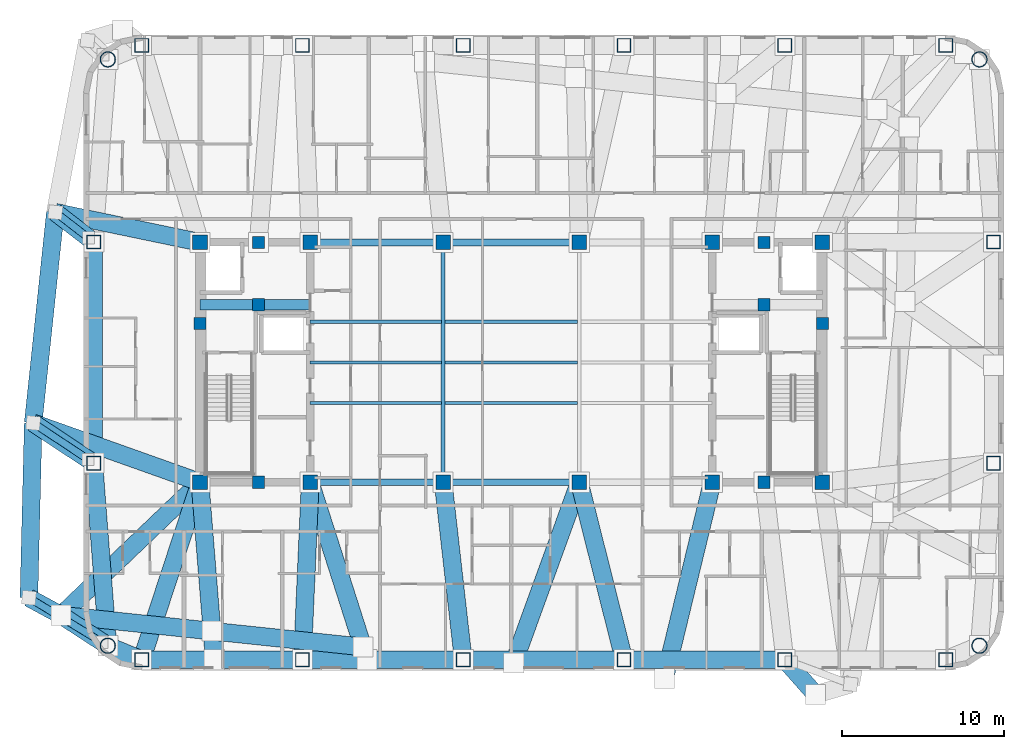
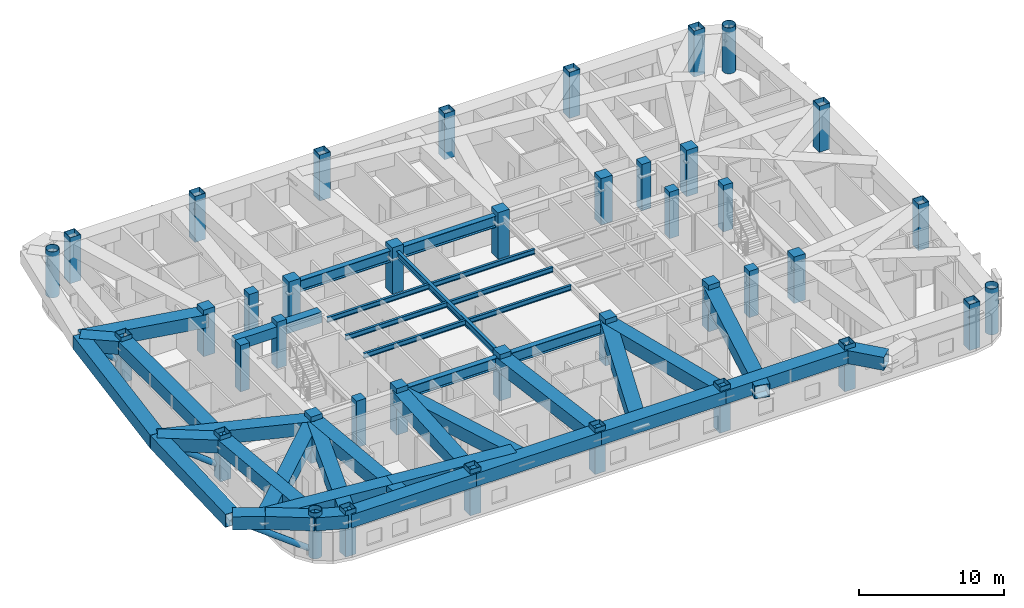
# One storey, part 1 of 12: 40 columns, 39 beams, 3 members.
"""IFC4 building model written with IfcOpenShell, lengths in metres."""

from ifc_helpers import new_model, si_unit, direction, frame, origin, origin_2d, place, context, subcontext, project, spatial, rectangle, hollow_rectangle, hollow_circle, i_section, extrude, material, material_profile, profile_set, type_object, element, save


model = new_model("IFC4")

# Units and contexts
model_context = context("Model", 3, precision=1e-05, world=origin(), true_north=direction((0.0, 1.0)))
body_context = subcontext(model_context, "Body", "Model", "MODEL_VIEW")
ifc_project = project(units=[si_unit("LENGTHUNIT", "METRE"), si_unit("AREAUNIT", "SQUARE_METRE"), si_unit("VOLUMEUNIT", "CUBIC_METRE"), si_unit("PLANEANGLEUNIT", "RADIAN"), si_unit("MASSUNIT", "GRAM", prefix="KILO")], contexts=[model_context])

# Site, building, storey
site_placement = place(None, origin())
site = spatial("IfcSite", under=ifc_project, at=site_placement, CompositionType="ELEMENT")
building_placement = place(site_placement, origin())
building = spatial("IfcBuilding", under=site, at=building_placement, Name="Voryun Gate Residences", CompositionType="ELEMENT")
storey_placement = place(building_placement, frame((0.0, 0.0, 250.89990234375)))
storey = spatial("IfcBuildingStorey", under=building, at=storey_placement, Name="L62", CompositionType="ELEMENT", Elevation=250.89990234375)

# Columns
ifc_material_1 = material(Name="Concrete C50/60", Category="concrete")
ifc_material_profile_1 = material_profile(ifc_material_1, rectangle(XDim=0.75, YDim=0.75, at=origin_2d()), Name="RC-750x750")
ifc_profile_set_1 = profile_set([ifc_material_profile_1], Name="Concrete C50/60")
column_type_1 = type_object("IfcColumnType", Name="COL_CORE_750", PredefinedType="COLUMN", material=ifc_profile_set_1)
for number, where, z_axis, x_axis, name in (
    (1, (-19.199951171875, 2.39990234375, 0.0), (0.0, 0.0, 1.0), (1.0, 0.0, 0.0), "L62 Core boundary column WC-MW"),
    (2, (-15.60009765625, -7.39990234375, 0.0), (0.0, 0.0, 1.0), (1.0, 0.0, 0.0), "L62 Core boundary column WC-SM"),
    (3, (-15.60009765625, 7.39990234375, 0.0), (0.0, 0.0, 1.0), (1.0, 0.0, 0.0), "L62 Core boundary column WC-NM"),
    (4, (-15.60009765625, 3.550048828125, 0.0), (0.0, 0.0, 1.0), (1.0, 0.0, 0.0), "L62 Core boundary column WC-MM"),
    (5, (15.60009765625, 3.550048828125, 0.0), (0.0, 0.0, 1.0), (1.0, 0.0, 0.0), "L62 Core boundary column EC-MM"),
    (6, (15.60009765625, -7.39990234375, 0.0), (0.0, 0.0, 1.0), (1.0, 0.0, 0.0), "L62 Core boundary column EC-SM"),
    (7, (15.60009765625, 7.39990234375, 0.0), (0.0, 0.0, 1.0), (1.0, 0.0, 0.0), "L62 Core boundary column EC-NM"),
    (8, (19.199951171875, 2.39990234375, 0.0), (0.0, 0.0, 1.0), (1.0, 0.0, 0.0), "L62 Core boundary column EC-ME"),
):
    element("IfcColumn", number, at=place(storey_placement, frame(where, z_axis=z_axis, x_axis=x_axis)), inside=storey, type_object=column_type_1, Name=name, PredefinedType="COLUMN", context=body_context, shape_type="SweptSolid", body=[
        extrude(rectangle(XDim=0.75, YDim=0.75, at=origin_2d()), origin(), (0.0, 0.0, 1.0), 3.900146484375),
    ])
ifc_material_2 = material(Name="Concrete C50/60", Category="concrete")
ifc_material_profile_2 = material_profile(ifc_material_2, rectangle(XDim=0.89990234375, YDim=0.89990234375, at=origin_2d()), Name="RC-900x900")
ifc_profile_set_2 = profile_set([ifc_material_profile_2], Name="Concrete C50/60")
column_type_2 = type_object("IfcColumnType", Name="COL_CORE_900", PredefinedType="COLUMN", material=ifc_profile_set_2)
for number, where, z_axis, x_axis, name in (
    (9, (-19.199951171875, -7.39990234375, 0.0), (0.0, 0.0, 1.0), (1.0, 0.0, 0.0), "L62 Core boundary column WC-SW"),
    (10, (-19.199951171875, 7.39990234375, 0.0), (0.0, 0.0, 1.0), (1.0, 0.0, 0.0), "L62 Core boundary column WC-NW"),
    (11, (-12.39990234375, -7.39990234375, 0.0), (0.0, 0.0, 1.0), (1.0, 0.0, 0.0), "L62 Core boundary column WC-SE"),
    (12, (-12.39990234375, 7.39990234375, 0.0), (0.0, 0.0, 1.0), (1.0, 0.0, 0.0), "L62 Core boundary column WC-NE"),
    (13, (12.39990234375, -7.39990234375, 0.0), (0.0, 0.0, 1.0), (1.0, 0.0, 0.0), "L62 Core boundary column EC-SW"),
    (14, (12.39990234375, 7.39990234375, 0.0), (0.0, 0.0, 1.0), (1.0, 0.0, 0.0), "L62 Core boundary column EC-NW"),
    (15, (19.199951171875, -7.39990234375, 0.0), (0.0, 0.0, 1.0), (1.0, 0.0, 0.0), "L62 Core boundary column EC-SE"),
    (16, (19.199951171875, 7.39990234375, 0.0), (0.0, 0.0, 1.0), (1.0, 0.0, 0.0), "L62 Core boundary column EC-NE"),
    (17, (-4.199951171875, -7.39990234375, 0.0), (0.0, 0.0, 1.0), (1.0, 0.0, 0.0), "L62 Interior spine column SP-WS"),
    (18, (-4.199951171875, 7.39990234375, 0.0), (0.0, 0.0, 1.0), (1.0, 0.0, 0.0), "L62 Interior spine column SP-WN"),
    (19, (4.199951171875, -7.39990234375, 0.0), (0.0, 0.0, 1.0), (1.0, 0.0, 0.0), "L62 Interior spine column SP-ES"),
    (20, (4.199951171875, 7.39990234375, 0.0), (0.0, 0.0, 1.0), (1.0, 0.0, 0.0), "L62 Interior spine column SP-EN"),
):
    element("IfcColumn", number, at=place(storey_placement, frame(where, z_axis=z_axis, x_axis=x_axis)), inside=storey, type_object=column_type_2, Name=name, PredefinedType="COLUMN", context=body_context, shape_type="SweptSolid", body=[
        extrude(rectangle(XDim=0.89990234375, YDim=0.89990234375, at=origin_2d()), origin(), (0.0, 0.0, 1.0), 3.900146484375),
    ])
ifc_material_3 = material(Name="Steel SM420", Category="steel")
ifc_material_profile_3 = material_profile(ifc_material_3, hollow_circle(Radius=0.47509765625, WallThickness=0.031982421875, at=origin_2d()), Name="CHS-950x32")
ifc_profile_set_3 = profile_set([ifc_material_profile_3], Name="Steel SM420")
column_type_3 = type_object("IfcColumnType", Name="COL_CRN_950", PredefinedType="COLUMN", material=ifc_profile_set_3)
for number, where, z_axis, x_axis, name in (
    (21, (28.885986328125, -17.486083984375, 0.0), (0.0, 0.0, 1.0), (1.0, 0.0, 0.0), "L62 Exoskeleton column CSE"),
    (22, (28.885986328125, 18.68603515625, 0.0), (0.0, 0.0, 1.0), (1.0, 0.0, 0.0), "L62 Exoskeleton column CNE"),
    (23, (-24.885986328125, 18.68603515625, 0.0), (0.0, 0.0, 1.0), (1.0, 0.0, 0.0), "L62 Exoskeleton column CNW"),
    (24, (-24.885986328125, -17.486083984375, 0.0), (0.0, 0.0, 1.0), (1.0, 0.0, 0.0), "L62 Exoskeleton column CSW"),
):
    element("IfcColumn", number, at=place(storey_placement, frame(where, z_axis=z_axis, x_axis=x_axis)), inside=storey, type_object=column_type_3, Name=name, PredefinedType="COLUMN", context=body_context, shape_type="SweptSolid", body=[
        extrude(hollow_circle(Radius=0.47509765625, WallThickness=0.031982421875, at=origin_2d()), origin(), (0.0, 0.0, 1.0), 3.864990234375),
    ])
ifc_material_4 = material(Name="Steel SM355", Category="steel")
ifc_material_profile_4 = material_profile(ifc_material_4, hollow_rectangle(XDim=0.85009765625, YDim=0.85009765625, WallThickness=0.028076171875, at=origin_2d()), Name="BOX-850x850x28")
ifc_profile_set_4 = profile_set([ifc_material_profile_4], Name="Steel SM355")
column_type_4 = type_object("IfcColumnType", Name="COL_EXO_B4", PredefinedType="COLUMN", material=ifc_profile_set_4)
for number, where, z_axis, x_axis, name in (
    (25, (-22.800048828125, -18.35009765625, 0.0), (0.0, 0.0, 1.0), (1.0, 0.0, 0.0), "L62 Exoskeleton column S1"),
    (26, (-12.8798828125, -18.35009765625, 0.0), (0.0, 0.0, 1.0), (1.0, 0.0, 0.0), "L62 Exoskeleton column S2"),
    (27, (-2.9599609375, -18.35009765625, 0.0), (0.0, 0.0, 1.0), (1.0, 0.0, 0.0), "L62 Exoskeleton column S3"),
    (28, (6.9599609375, -18.35009765625, 0.0), (0.0, 0.0, 1.0), (1.0, 0.0, 0.0), "L62 Exoskeleton column S4"),
    (29, (16.8798828125, -18.35009765625, 0.0), (0.0, 0.0, 1.0), (1.0, 0.0, 0.0), "L62 Exoskeleton column S5"),
    (30, (26.800048828125, -18.35009765625, 0.0), (0.0, 0.0, 1.0), (1.0, 0.0, 0.0), "L62 Exoskeleton column S6"),
    (31, (29.75, -6.221923828125, 0.0), (0.0, 0.0, 1.0), (1.0, 0.0, 0.0), "L62 Exoskeleton column E1"),
    (32, (29.75, 7.422119140625, 0.0), (0.0, 0.0, 1.0), (1.0, 0.0, 0.0), "L62 Exoskeleton column E2"),
    (33, (26.800048828125, 19.550048828125, 0.0), (0.0, 0.0, 1.0), (1.0, 0.0, 0.0), "L62 Exoskeleton column N1"),
    (34, (16.8798828125, 19.550048828125, 0.0), (0.0, 0.0, 1.0), (1.0, 0.0, 0.0), "L62 Exoskeleton column N2"),
    (35, (6.9599609375, 19.550048828125, 0.0), (0.0, 0.0, 1.0), (1.0, 0.0, 0.0), "L62 Exoskeleton column N3"),
    (36, (-2.9599609375, 19.550048828125, 0.0), (0.0, 0.0, 1.0), (1.0, 0.0, 0.0), "L62 Exoskeleton column N4"),
    (37, (-12.8798828125, 19.550048828125, 0.0), (0.0, 0.0, 1.0), (1.0, 0.0, 0.0), "L62 Exoskeleton column N5"),
    (38, (-22.800048828125, 19.550048828125, 0.0), (0.0, 0.0, 1.0), (1.0, 0.0, 0.0), "L62 Exoskeleton column N6"),
    (39, (-25.75, 7.422119140625, 0.0), (0.0, 0.0, 1.0), (1.0, 0.0, 0.0), "L62 Exoskeleton column W1"),
    (40, (-25.75, -6.221923828125, 0.0), (0.0, 0.0, 1.0), (1.0, 0.0, 0.0), "L62 Exoskeleton column W2"),
):
    element("IfcColumn", number, at=place(storey_placement, frame(where, z_axis=z_axis, x_axis=x_axis)), inside=storey, type_object=column_type_4, Name=name, PredefinedType="COLUMN", context=body_context, shape_type="SweptSolid", body=[
        extrude(hollow_rectangle(XDim=0.85009765625, YDim=0.85009765625, WallThickness=0.028076171875, at=origin_2d()), origin(), (0.0, 0.0, 1.0), 3.864990234375),
    ])

# Beams
ifc_material_5 = material(Name="Steel SM420", Category="steel")
ifc_material_profile_5 = material_profile(ifc_material_5, hollow_rectangle(XDim=1.10009765625, YDim=1.10009765625, WallThickness=0.035888671875, at=origin_2d()), Name="BOX-1100x1100x36")
ifc_profile_set_5 = profile_set([ifc_material_profile_5], Name="Steel SM420")
beam_type_1 = type_object("IfcBeamType", Name="BM_ARCH_RIB", PredefinedType="USERDEFINED", material=ifc_profile_set_5)
beam_1_placement = place(storey_placement, frame((-22.800048828125, -18.35009765625, 2.9501953125), z_axis=(1.0, 0.0, 0.0), x_axis=(0.0, 1.0, 0.0)))
element("IfcBeam", 41, at=beam_1_placement, inside=storey, type_object=beam_type_1, Name="BM-L62-SPAND-01", ObjectType="GIRDER", PredefinedType="USERDEFINED", context=body_context, shape_type="SweptSolid", body=[
    extrude(hollow_rectangle(XDim=1.10009765625, YDim=1.10009765625, WallThickness=0.035888671875, at=origin_2d()), origin(), (0.0, 0.0, 1.0), 9.920166015625),
])
for number, where, z_axis, x_axis, name in (
    (42, (-12.8798828125, -18.35009765625, 2.9501953125), (1.0, 0.0, 0.0), (0.0, 1.0, 0.0), "BM-L62-SPAND-02"),
    (43, (-2.9599609375, -18.35009765625, 2.9501953125), (1.0, 0.0, 0.0), (0.0, 1.0, 0.0), "BM-L62-SPAND-03"),
    (44, (6.9599609375, -18.35009765625, 2.9501953125), (1.0, 0.0, 0.0), (0.0, 1.0, 0.0), "BM-L62-SPAND-04"),
):
    element("IfcBeam", number, at=place(storey_placement, frame(where, z_axis=z_axis, x_axis=x_axis)), inside=storey, type_object=beam_type_1, Name=name, ObjectType="GIRDER", PredefinedType="USERDEFINED", context=body_context, shape_type="SweptSolid", body=[
        extrude(hollow_rectangle(XDim=1.10009765625, YDim=1.10009765625, WallThickness=0.035888671875, at=origin_2d()), origin(), (0.0, 0.0, 1.0), 9.919921875),
    ])
beam_2_placement = place(storey_placement, frame((-25.75, 7.422119140625, 2.9501953125), z_axis=(0.0, -1.0, 0.0), x_axis=(1.0, 0.0, 0.0)))
element("IfcBeam", 45, at=beam_2_placement, inside=storey, type_object=beam_type_1, Name="BM-L62-SPAND-18", ObjectType="GIRDER", PredefinedType="USERDEFINED", context=body_context, shape_type="SweptSolid", body=[
    extrude(hollow_rectangle(XDim=1.10009765625, YDim=1.10009765625, WallThickness=0.035888671875, at=origin_2d()), origin(), (0.0, 0.0, 1.0), 13.64404296875),
])
beam_3_placement = place(storey_placement, frame((-25.75, -6.221923828125, 2.9501953125), z_axis=(0.076480009441, -0.997071114894, 0.0), x_axis=(0.997071114894, 0.076480009441, 0.0)))
element("IfcBeam", 46, at=beam_3_placement, inside=storey, type_object=beam_type_1, Name="BM-L62-SPAND-19", ObjectType="GIRDER", PredefinedType="USERDEFINED", context=body_context, shape_type="SweptSolid", body=[
    extrude(hollow_rectangle(XDim=1.10009765625, YDim=1.10009765625, WallThickness=0.035888671875, at=origin_2d()), origin(), (0.0, 0.0, 1.0), 11.29736328125),
])
beam_4_placement = place(storey_placement, frame((-24.885986328125, -17.486083984375, 2.9501953125), z_axis=(0.923881087602, -0.382679678022, 0.0), x_axis=(0.382679678022, 0.923881087602, 0.0)))
element("IfcBeam", 47, at=beam_4_placement, inside=storey, type_object=beam_type_1, Name="BM-L62-SPAND-20", ObjectType="GIRDER", PredefinedType="USERDEFINED", context=body_context, shape_type="SweptSolid", body=[
    extrude(hollow_rectangle(XDim=1.10009765625, YDim=1.10009765625, WallThickness=0.035888671875, at=origin_2d()), origin(), (0.0, 0.0, 1.0), 2.2578125),
])
beam_5_placement = place(storey_placement, frame((-19.199951171875, -7.39990234375, 2.9501953125), z_axis=(-0.722302104769, -0.691577666966, 0.0), x_axis=(0.691577666966, -0.722302104769, 0.0)))
element("IfcBeam", 48, at=beam_5_placement, inside=storey, type_object=beam_type_1, Name="BM-L62-XFERCANT-S1", ObjectType="GIRDER", PredefinedType="USERDEFINED", context=body_context, shape_type="SweptSolid", body=[
    extrude(hollow_rectangle(XDim=1.10009765625, YDim=1.10009765625, WallThickness=0.035888671875, at=origin_2d()), origin(), (0.0, 0.0, 1.0), 11.863525390625),
])
beam_6_placement = place(storey_placement, frame((-24.885986328125, -17.486083984375, 2.9501953125), z_axis=(-0.837432795252, 0.546540312728, 0.0), x_axis=(-0.546540312728, -0.837432795252, 0.0)))
element("IfcBeam", 49, at=beam_6_placement, inside=storey, type_object=beam_type_1, Name="BM-L62-XFERLOW-S1", ObjectType="GIRDER", PredefinedType="USERDEFINED", context=body_context, shape_type="SweptSolid", body=[
    extrude(hollow_rectangle(XDim=1.10009765625, YDim=1.10009765625, WallThickness=0.035888671875, at=origin_2d()), origin(), (0.0, 0.0, 1.0), 3.442626953125),
])
beam_7_placement = place(storey_placement, frame((-19.199951171875, -7.39990234375, 2.9501953125), z_axis=(0.080293732968, -0.996771245796, 0.0), x_axis=(0.996771245796, 0.080293732968, 0.0)))
element("IfcBeam", 50, at=beam_7_placement, inside=storey, type_object=beam_type_1, Name="BM-L62-XFERCANT-S2", ObjectType="GIRDER", PredefinedType="USERDEFINED", context=body_context, shape_type="SweptSolid", body=[
    extrude(hollow_rectangle(XDim=1.10009765625, YDim=1.10009765625, WallThickness=0.035888671875, at=origin_2d()), origin(), (0.0, 0.0, 1.0), 10.985595703125),
])
beam_8_placement = place(storey_placement, frame((-12.39990234375, -7.39990234375, 2.9501953125), z_axis=(0.304493686157, -0.95251435427, 0.0), x_axis=(0.95251435427, 0.304493686157, 0.0)))
element("IfcBeam", 51, at=beam_8_placement, inside=storey, type_object=beam_type_1, Name="BM-L62-XFERCANT-S3", ObjectType="GIRDER", PredefinedType="USERDEFINED", context=body_context, shape_type="SweptSolid", body=[
    extrude(hollow_rectangle(XDim=1.10009765625, YDim=1.10009765625, WallThickness=0.035888671875, at=origin_2d()), origin(), (0.0, 0.0, 1.0), 11.49609375),
])
beam_9_placement = place(storey_placement, frame((4.199951171875, -7.39990234375, 2.9501953125), z_axis=(-0.341135931896, -0.940013976476, 0.0), x_axis=(0.940013976476, -0.341135931896, 0.0)))
element("IfcBeam", 52, at=beam_9_placement, inside=storey, type_object=beam_type_1, Name="BM-L62-XFERCANT-S4", ObjectType="GIRDER", PredefinedType="USERDEFINED", context=body_context, shape_type="SweptSolid", body=[
    extrude(hollow_rectangle(XDim=1.10009765625, YDim=1.10009765625, WallThickness=0.035888671875, at=origin_2d()), origin(), (0.0, 0.0, 1.0), 11.850830078125),
])
beam_10_placement = place(storey_placement, frame((12.39990234375, -7.39990234375, 2.9501953125), z_axis=(-0.235323166357, -0.971917181336, 0.0), x_axis=(0.971917181336, -0.235323166357, 0.0)))
element("IfcBeam", 53, at=beam_10_placement, inside=storey, type_object=beam_type_1, Name="BM-L62-XFERCANT-S5", ObjectType="GIRDER", PredefinedType="USERDEFINED", context=body_context, shape_type="SweptSolid", body=[
    extrude(hollow_rectangle(XDim=1.10009765625, YDim=1.10009765625, WallThickness=0.035888671875, at=origin_2d()), origin(), (0.0, 0.0, 1.0), 12.46826171875),
])
beam_11_placement = place(storey_placement, frame((16.8798828125, -18.35009765625, 2.9501953125), z_axis=(0.661782374544, -0.74969599755, 0.0), x_axis=(0.74969599755, 0.661782374544, 0.0)))
element("IfcBeam", 54, at=beam_11_placement, inside=storey, type_object=beam_type_1, Name="BM-L62-XFERLOW-S6", ObjectType="GIRDER", PredefinedType="USERDEFINED", context=body_context, shape_type="SweptSolid", body=[
    extrude(hollow_rectangle(XDim=1.10009765625, YDim=1.10009765625, WallThickness=0.035888671875, at=origin_2d()), origin(), (0.0, 0.0, 1.0), 2.863037109375),
])
beam_12_placement = place(storey_placement, frame((-19.199951171875, 7.39990234375, 2.9501953125), z_axis=(-0.979119049711, 0.203287693907, 0.0), x_axis=(-0.203287693907, -0.979119049711, 0.0)))
element("IfcBeam", 55, at=beam_12_placement, inside=storey, type_object=beam_type_1, Name="BM-L62-XFERCANT-W1", ObjectType="GIRDER", PredefinedType="USERDEFINED", context=body_context, shape_type="SweptSolid", body=[
    extrude(hollow_rectangle(XDim=1.10009765625, YDim=1.10009765625, WallThickness=0.035888671875, at=origin_2d()), origin(), (0.0, 0.0, 1.0), 9.11279296875),
])
beam_13_placement = place(storey_placement, frame((-25.75, 7.422119140625, 2.9501953125), z_axis=(-0.791772123225, 0.61081658858, 0.0), x_axis=(-0.61081658858, -0.791772123225, 0.0)))
element("IfcBeam", 56, at=beam_13_placement, inside=storey, type_object=beam_type_1, Name="BM-L62-XFERLOW-W1", ObjectType="GIRDER", PredefinedType="USERDEFINED", context=body_context, shape_type="SweptSolid", body=[
    extrude(hollow_rectangle(XDim=1.10009765625, YDim=1.10009765625, WallThickness=0.035888671875, at=origin_2d()), origin(), (0.0, 0.0, 1.0), 2.99658203125),
])
beam_14_placement = place(storey_placement, frame((-19.199951171875, -7.39990234375, 2.9501953125), z_axis=(-0.942276939669, 0.334834539688, 0.0), x_axis=(-0.334834539688, -0.942276939669, 0.0)))
element("IfcBeam", 57, at=beam_14_placement, inside=storey, type_object=beam_type_1, Name="BM-L62-XFERCANT-W2", ObjectType="GIRDER", PredefinedType="USERDEFINED", context=body_context, shape_type="SweptSolid", body=[
    extrude(hollow_rectangle(XDim=1.10009765625, YDim=1.10009765625, WallThickness=0.035888671875, at=origin_2d()), origin(), (0.0, 0.0, 1.0), 10.9189453125),
])
beam_15_placement = place(storey_placement, frame((-25.75, -6.221923828125, 2.9501953125), z_axis=(-0.833521215411, 0.552487450952, 0.0), x_axis=(-0.552487450952, -0.833521215411, 0.0)))
element("IfcBeam", 58, at=beam_15_placement, inside=storey, type_object=beam_type_1, Name="BM-L62-XFERLOW-W2", ObjectType="GIRDER", PredefinedType="USERDEFINED", context=body_context, shape_type="SweptSolid", body=[
    extrude(hollow_rectangle(XDim=1.10009765625, YDim=1.10009765625, WallThickness=0.035888671875, at=origin_2d()), origin(), (0.0, 0.0, 1.0), 4.485107421875),
])
beam_16_placement = place(storey_placement, frame((-27.76904296875, -15.6044921875, 2.9501953125), z_axis=(0.994520592114, -0.104540862157, 0.0), x_axis=(0.104540862157, 0.994520592114, 0.0)))
element("IfcBeam", 59, at=beam_16_placement, inside=storey, type_object=beam_type_1, Name="BM-L62-XFERRING-01", ObjectType="GIRDER", PredefinedType="USERDEFINED", context=body_context, shape_type="SweptSolid", body=[
    extrude(hollow_rectangle(XDim=1.10009765625, YDim=1.10009765625, WallThickness=0.035888671875, at=origin_2d()), origin(), (0.0, 0.0, 1.0), 9.360107421875),
])
beam_17_placement = place(storey_placement, frame((-18.460205078125, -16.5830078125, 2.9501953125), z_axis=(0.994523018663, -0.104517775278, 0.0), x_axis=(0.104517775278, 0.994523018663, 0.0)))
element("IfcBeam", 60, at=beam_17_placement, inside=storey, type_object=beam_type_1, Name="BM-L62-XFERRING-02", ObjectType="GIRDER", PredefinedType="USERDEFINED", context=body_context, shape_type="SweptSolid", body=[
    extrude(hollow_rectangle(XDim=1.10009765625, YDim=1.10009765625, WallThickness=0.035888671875, at=origin_2d()), origin(), (0.0, 0.0, 1.0), 9.35986328125),
])
beam_18_placement = place(storey_placement, frame((-28.12255859375, 9.25244140625, 2.9501953125), z_axis=(-0.104528209082, -0.994521922084, 0.0), x_axis=(0.994521922084, -0.104528209082, 0.0)))
element("IfcBeam", 61, at=beam_18_placement, inside=storey, type_object=beam_type_1, Name="BM-L62-XFERRING-18", ObjectType="GIRDER", PredefinedType="USERDEFINED", context=body_context, shape_type="SweptSolid", body=[
    extrude(hollow_rectangle(XDim=1.10009765625, YDim=1.10009765625, WallThickness=0.035888671875, at=origin_2d()), origin(), (0.0, 0.0, 1.0), 13.06787109375),
])
beam_19_placement = place(storey_placement, frame((-29.488525390625, -3.743896484375, 2.9501953125), z_axis=(-0.024534711967, -0.999698978647, 0.0), x_axis=(0.999698978647, -0.024534711967, 0.0)))
element("IfcBeam", 62, at=beam_19_placement, inside=storey, type_object=beam_type_1, Name="BM-L62-XFERRING-19", ObjectType="GIRDER", PredefinedType="USERDEFINED", context=body_context, shape_type="SweptSolid", body=[
    extrude(hollow_rectangle(XDim=1.10009765625, YDim=1.10009765625, WallThickness=0.035888671875, at=origin_2d()), origin(), (0.0, 0.0, 1.0), 10.78662109375),
])
beam_20_placement = place(storey_placement, frame((-29.753173828125, -14.52734375, 2.9501953125), z_axis=(0.878844363117, -0.477108567746, 0.0), x_axis=(0.477108567746, 0.878844363117, 0.0)))
element("IfcBeam", 63, at=beam_20_placement, inside=storey, type_object=beam_type_1, Name="BM-L62-XFERRING-20", ObjectType="GIRDER", PredefinedType="USERDEFINED", context=body_context, shape_type="SweptSolid", body=[
    extrude(hollow_rectangle(XDim=1.10009765625, YDim=1.10009765625, WallThickness=0.035888671875, at=origin_2d()), origin(), (0.0, 0.0, 1.0), 2.257568359375),
])
beam_21_placement = place(storey_placement, frame((-19.199951171875, -7.39990234375, 2.9501953125), z_axis=(-0.312323693326, -0.949975742104, 0.0), x_axis=(0.949975742104, -0.312323693326, 0.0)))
element("IfcBeam", 64, at=beam_21_placement, inside=storey, type_object=beam_type_1, Name="BM-L62-RAD-S1", ObjectType="GIRDER", PredefinedType="USERDEFINED", context=body_context, shape_type="SweptSolid", body=[
    extrude(hollow_rectangle(XDim=1.10009765625, YDim=1.10009765625, WallThickness=0.035888671875, at=origin_2d()), origin(), (0.0, 0.0, 1.0), 11.52685546875),
])
beam_22_placement = place(storey_placement, frame((-12.39990234375, -7.39990234375, 2.9501953125), z_axis=(-0.043791002488, -0.999040713936, 0.0), x_axis=(0.999040713936, -0.043791002488, 0.0)))
element("IfcBeam", 65, at=beam_22_placement, inside=storey, type_object=beam_type_1, Name="BM-L62-RAD-S2", ObjectType="GIRDER", PredefinedType="USERDEFINED", context=body_context, shape_type="SweptSolid", body=[
    extrude(hollow_rectangle(XDim=1.10009765625, YDim=1.10009765625, WallThickness=0.035888671875, at=origin_2d()), origin(), (0.0, 0.0, 1.0), 10.960693359375),
])
beam_23_placement = place(storey_placement, frame((-4.199951171875, -7.39990234375, 2.9501953125), z_axis=(0.112519968476, -0.993649463691, 0.0), x_axis=(0.993649463691, 0.112519968476, 0.0)))
element("IfcBeam", 66, at=beam_23_placement, inside=storey, type_object=beam_type_1, Name="BM-L62-RAD-S3", ObjectType="GIRDER", PredefinedType="USERDEFINED", context=body_context, shape_type="SweptSolid", body=[
    extrude(hollow_rectangle(XDim=1.10009765625, YDim=1.10009765625, WallThickness=0.035888671875, at=origin_2d()), origin(), (0.0, 0.0, 1.0), 11.020263671875),
])
beam_24_placement = place(storey_placement, frame((4.199951171875, -7.39990234375, 2.9501953125), z_axis=(0.24440715799, -0.969672697936, 0.0), x_axis=(0.969672697936, 0.24440715799, 0.0)))
element("IfcBeam", 67, at=beam_24_placement, inside=storey, type_object=beam_type_1, Name="BM-L62-RAD-S4", ObjectType="GIRDER", PredefinedType="USERDEFINED", context=body_context, shape_type="SweptSolid", body=[
    extrude(hollow_rectangle(XDim=1.10009765625, YDim=1.10009765625, WallThickness=0.035888671875, at=origin_2d()), origin(), (0.0, 0.0, 1.0), 11.292724609375),
])
ifc_material_6 = material(Name="Concrete C60/75", Category="concrete")
ifc_material_profile_6 = material_profile(ifc_material_6, rectangle(XDim=0.64990234375, YDim=0.89990234375, at=origin_2d()), Name="RC-650x900")
ifc_profile_set_6 = profile_set([ifc_material_profile_6], Name="Concrete C60/75")
beam_type_2 = type_object("IfcBeamType", Name="BM_COUP_RC900", PredefinedType="LINTEL", material=ifc_profile_set_6)
beam_25_placement = place(storey_placement, frame((-19.199951171875, 3.550048828125, 3.050048828125), z_axis=(1.0, 0.0, 0.0), x_axis=(0.0, 1.0, 0.0)))
element("IfcBeam", 68, at=beam_25_placement, inside=storey, type_object=beam_type_2, Name="BM-L62-WC1", PredefinedType="LINTEL", context=body_context, shape_type="SweptSolid", body=[
    extrude(rectangle(XDim=0.64990234375, YDim=0.89990234375, at=origin_2d()), origin(), (0.0, 0.0, 1.0), 6.800048828125),
])
ifc_material_7 = material(Name="Steel SM355", Category="steel")
ifc_material_profile_7 = material_profile(ifc_material_7, i_section(OverallWidth=0.239990234375, OverallDepth=0.550048828125, WebThickness=0.011962890625, FlangeThickness=0.02001953125, FilletRadius=0.01806640625, at=origin_2d()), Name="H-550x240x12x20")
ifc_profile_set_7 = profile_set([ifc_material_profile_7], Name="Steel SM355")
beam_type_3 = type_object("IfcBeamType", Name="BM_GIRD_550", PredefinedType="USERDEFINED", material=ifc_profile_set_7)
beam_26_placement = place(storey_placement, frame((-4.199951171875, -7.39990234375, 3.22509765625), z_axis=(0.0, 1.0, 0.0), x_axis=(-1.0, 0.0, 0.0)))
element("IfcBeam", 69, at=beam_26_placement, inside=storey, type_object=beam_type_3, Name="BM-L62-SPX-W", ObjectType="GIRDER", PredefinedType="USERDEFINED", context=body_context, shape_type="SweptSolid", body=[
    extrude(i_section(OverallWidth=0.239990234375, OverallDepth=0.550048828125, WebThickness=0.011962890625, FlangeThickness=0.02001953125, FilletRadius=0.01806640625, at=origin_2d()), origin(), (0.0, 0.0, 1.0), 14.7998046875),
])
ifc_material_8 = material(Name="Steel SM355", Category="steel")
ifc_material_profile_8 = material_profile(ifc_material_8, i_section(OverallWidth=0.18994140625, OverallDepth=0.419921875, WebThickness=0.009033203125, FlangeThickness=0.01611328125, FilletRadius=0.01806640625, at=origin_2d()), Name="H-420x190x9x16")
ifc_profile_set_8 = profile_set([ifc_material_profile_8], Name="Steel SM355")
beam_type_4 = type_object("IfcBeamType", Name="BM_SEC_420", PredefinedType="BEAM", material=ifc_profile_set_8)
beam_27_placement = place(storey_placement, frame((-12.39990234375, -2.5, 3.2900390625), z_axis=(1.0, 0.0, 0.0), x_axis=(0.0, 1.0, 0.0)))
element("IfcBeam", 70, at=beam_27_placement, inside=storey, type_object=beam_type_4, Name="BM-L62-SEC-CS1", PredefinedType="BEAM", context=body_context, shape_type="SweptSolid", body=[
    extrude(i_section(OverallWidth=0.18994140625, OverallDepth=0.419921875, WebThickness=0.009033203125, FlangeThickness=0.01611328125, FilletRadius=0.01806640625, at=origin_2d()), origin(), (0.0, 0.0, 1.0), 8.099853515625),
])
beam_28_placement = place(storey_placement, frame((-4.10009765625, -2.5, 3.2900390625), z_axis=(1.0, 0.0, 0.0), x_axis=(0.0, 1.0, 0.0)))
element("IfcBeam", 71, at=beam_28_placement, inside=storey, type_object=beam_type_4, Name="BM-L62-SEC-CS2", PredefinedType="BEAM", context=body_context, shape_type="SweptSolid", body=[
    extrude(i_section(OverallWidth=0.18994140625, OverallDepth=0.419921875, WebThickness=0.009033203125, FlangeThickness=0.01611328125, FilletRadius=0.01806640625, at=origin_2d()), origin(), (0.0, 0.0, 1.0), 8.2001953125),
])
beam_29_placement = place(storey_placement, frame((-12.39990234375, 0.0, 3.2900390625), z_axis=(1.0, 0.0, 0.0), x_axis=(0.0, 1.0, 0.0)))
element("IfcBeam", 72, at=beam_29_placement, inside=storey, type_object=beam_type_4, Name="BM-L62-SEC-CM1", PredefinedType="BEAM", context=body_context, shape_type="SweptSolid", body=[
    extrude(i_section(OverallWidth=0.18994140625, OverallDepth=0.419921875, WebThickness=0.009033203125, FlangeThickness=0.01611328125, FilletRadius=0.01806640625, at=origin_2d()), origin(), (0.0, 0.0, 1.0), 8.099853515625),
])
beam_30_placement = place(storey_placement, frame((-4.10009765625, 0.0, 3.2900390625), z_axis=(1.0, 0.0, 0.0), x_axis=(0.0, 1.0, 0.0)))
element("IfcBeam", 73, at=beam_30_placement, inside=storey, type_object=beam_type_4, Name="BM-L62-SEC-CM2", PredefinedType="BEAM", context=body_context, shape_type="SweptSolid", body=[
    extrude(i_section(OverallWidth=0.18994140625, OverallDepth=0.419921875, WebThickness=0.009033203125, FlangeThickness=0.01611328125, FilletRadius=0.01806640625, at=origin_2d()), origin(), (0.0, 0.0, 1.0), 8.2001953125),
])
beam_31_placement = place(storey_placement, frame((-12.39990234375, 2.5, 3.2900390625), z_axis=(1.0, 0.0, 0.0), x_axis=(0.0, 1.0, 0.0)))
element("IfcBeam", 74, at=beam_31_placement, inside=storey, type_object=beam_type_4, Name="BM-L62-SEC-CN1", PredefinedType="BEAM", context=body_context, shape_type="SweptSolid", body=[
    extrude(i_section(OverallWidth=0.18994140625, OverallDepth=0.419921875, WebThickness=0.009033203125, FlangeThickness=0.01611328125, FilletRadius=0.01806640625, at=origin_2d()), origin(), (0.0, 0.0, 1.0), 8.099853515625),
])
beam_32_placement = place(storey_placement, frame((-4.10009765625, 2.5, 3.2900390625), z_axis=(1.0, 0.0, 0.0), x_axis=(0.0, 1.0, 0.0)))
element("IfcBeam", 75, at=beam_32_placement, inside=storey, type_object=beam_type_4, Name="BM-L62-SEC-CN2", PredefinedType="BEAM", context=body_context, shape_type="SweptSolid", body=[
    extrude(i_section(OverallWidth=0.18994140625, OverallDepth=0.419921875, WebThickness=0.009033203125, FlangeThickness=0.01611328125, FilletRadius=0.01806640625, at=origin_2d()), origin(), (0.0, 0.0, 1.0), 8.2001953125),
])
ifc_material_9 = material(Name="Steel SM420", Category="steel")
ifc_material_profile_9 = material_profile(ifc_material_9, i_section(OverallWidth=0.419921875, OverallDepth=0.949951171875, WebThickness=0.02001953125, FlangeThickness=0.035888671875, FilletRadius=0.01806640625, at=origin_2d()), Name="H-950x420x20x36")
ifc_profile_set_9 = profile_set([ifc_material_profile_9], Name="Steel SM420")
beam_type_5 = type_object("IfcBeamType", Name="BM_XFER_950", PredefinedType="USERDEFINED", material=ifc_profile_set_9)
beam_33_placement = place(storey_placement, frame((-12.39990234375, -7.39990234375, 3.025146484375), z_axis=(1.0, 0.0, 0.0), x_axis=(0.0, 1.0, 0.0)))
element("IfcBeam", 76, at=beam_33_placement, inside=storey, type_object=beam_type_5, Name="BM-L62-SPG1-S", ObjectType="GIRDER", PredefinedType="USERDEFINED", context=body_context, shape_type="SweptSolid", body=[
    extrude(i_section(OverallWidth=0.419921875, OverallDepth=0.949951171875, WebThickness=0.02001953125, FlangeThickness=0.035888671875, FilletRadius=0.01806640625, at=origin_2d()), origin(), (0.0, 0.0, 1.0), 8.199951171875),
])
beam_34_placement = place(storey_placement, frame((-4.199951171875, -7.39990234375, 3.025146484375), z_axis=(1.0, 0.0, 0.0), x_axis=(0.0, 1.0, 0.0)))
element("IfcBeam", 77, at=beam_34_placement, inside=storey, type_object=beam_type_5, Name="BM-L62-SPG2-S", ObjectType="GIRDER", PredefinedType="USERDEFINED", context=body_context, shape_type="SweptSolid", body=[
    extrude(i_section(OverallWidth=0.419921875, OverallDepth=0.949951171875, WebThickness=0.02001953125, FlangeThickness=0.035888671875, FilletRadius=0.01806640625, at=origin_2d()), origin(), (0.0, 0.0, 1.0), 8.39990234375),
])
beam_35_placement = place(storey_placement, frame((-12.39990234375, 7.39990234375, 3.025146484375), z_axis=(1.0, 0.0, 0.0), x_axis=(0.0, 1.0, 0.0)))
element("IfcBeam", 78, at=beam_35_placement, inside=storey, type_object=beam_type_5, Name="BM-L62-SPG1-N", ObjectType="GIRDER", PredefinedType="USERDEFINED", context=body_context, shape_type="SweptSolid", body=[
    extrude(i_section(OverallWidth=0.419921875, OverallDepth=0.949951171875, WebThickness=0.02001953125, FlangeThickness=0.035888671875, FilletRadius=0.01806640625, at=origin_2d()), origin(), (0.0, 0.0, 1.0), 8.199951171875),
])
beam_36_placement = place(storey_placement, frame((-4.199951171875, 7.39990234375, 3.025146484375), z_axis=(1.0, 0.0, 0.0), x_axis=(0.0, 1.0, 0.0)))
element("IfcBeam", 79, at=beam_36_placement, inside=storey, type_object=beam_type_5, Name="BM-L62-SPG2-N", ObjectType="GIRDER", PredefinedType="USERDEFINED", context=body_context, shape_type="SweptSolid", body=[
    extrude(i_section(OverallWidth=0.419921875, OverallDepth=0.949951171875, WebThickness=0.02001953125, FlangeThickness=0.035888671875, FilletRadius=0.01806640625, at=origin_2d()), origin(), (0.0, 0.0, 1.0), 8.39990234375),
])

# Members
ifc_material_10 = material(Name="Steel SM420", Category="steel")
ifc_material_profile_10 = material_profile(ifc_material_10, hollow_circle(Radius=0.22998046875, WallThickness=0.02197265625, at=origin_2d()), Name="CHS-460x22")
ifc_profile_set_10 = profile_set([ifc_material_profile_10], Name="Steel SM420")
member_type = type_object("IfcMemberType", Name="MBR_CANT_STRUT_UP", PredefinedType="STRUT", material=ifc_profile_set_10)
member_1_placement = place(storey_placement, frame((-26.08251953125, 7.6787109375, 1.60009765625), z_axis=(-0.70133218488, 0.541022889389, 0.464141572808), x_axis=(-0.610800059736, -0.791784874209, 0.0)))
element("IfcMember", 80, at=member_1_placement, inside=storey, type_object=member_type, Name="L62 Block B5 Cantilever Strut W1", PredefinedType="STRUT", context=body_context, shape_type="SweptSolid", body=[
    extrude(hollow_circle(Radius=0.22998046875, WallThickness=0.02197265625, at=origin_2d()), origin(), (0.0, 0.0, 1.0), 2.90869140625),
])
member_2_placement = place(storey_placement, frame((-26.10009765625, -5.989990234375, 1.12060546875), z_axis=(-0.760077722348, 0.503834213243, 0.41040582544), x_axis=(-0.552508567468, -0.833507218249, 0.0)))
element("IfcMember", 81, at=member_2_placement, inside=storey, type_object=member_type, Name="L62 Block B5 Cantilever Strut W2", PredefinedType="STRUT", context=body_context, shape_type="SweptSolid", body=[
    extrude(hollow_circle(Radius=0.22998046875, WallThickness=0.02197265625, at=origin_2d()), origin(), (0.0, 0.0, 1.0), 4.4580078125),
])
member_3_placement = place(storey_placement, frame((-25.244873046875, -17.267822265625, 0.575927734375), z_axis=(-0.779239773439, 0.473679543856, 0.410381609265), x_axis=(-0.519434511667, -0.854510262132, 0.0)))
element("IfcMember", 82, at=member_3_placement, inside=storey, type_object=member_type, Name="L62 Block B5 Cantilever Strut CSW", PredefinedType="STRUT", context=body_context, shape_type="SweptSolid", body=[
    extrude(hollow_circle(Radius=0.22998046875, WallThickness=0.02197265625, at=origin_2d()), origin(), (0.0, 0.0, 1.0), 5.785400390625),
])

save(model, "model.ifc")
